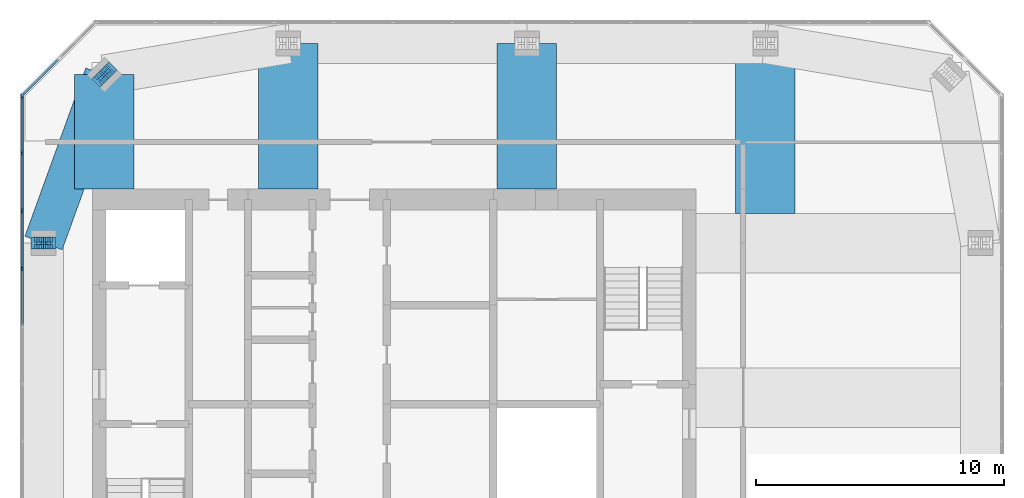
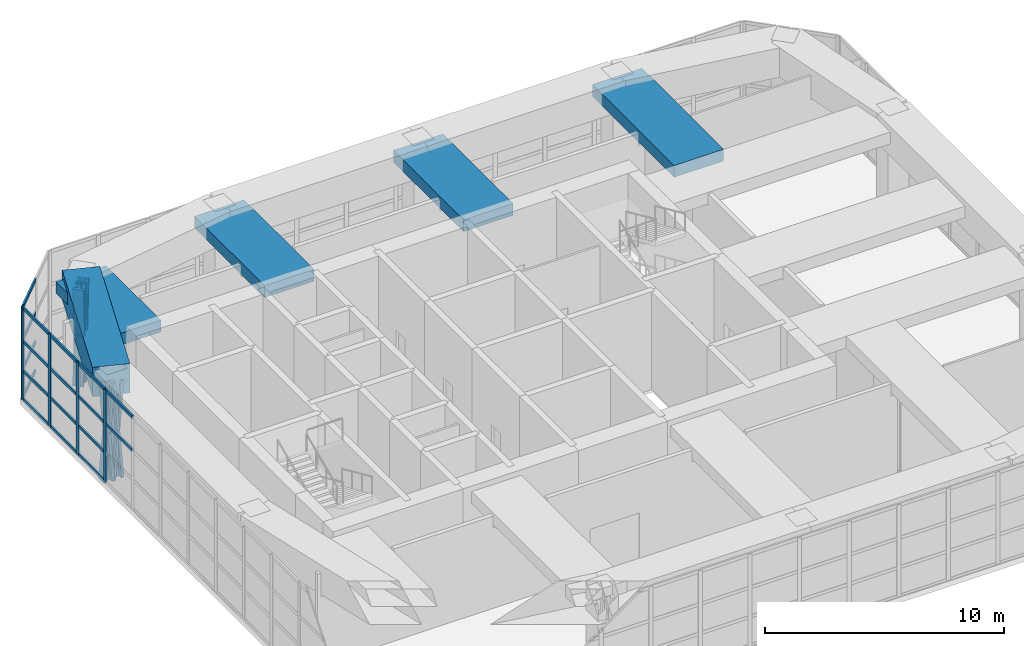
# One storey, part 4 of 14: 31 members, 5 beams, 2 elements without a shape of their own.
"""IFC4 building model written with IfcOpenShell, lengths in metres."""

from ifc_helpers import new_model, si_unit, direction, frame, origin, origin_2d, place, context, subcontext, project, spatial, rectangle, i_section, extrude, material, material_profile, profile_set, type_object, element, aggregate, save


model = new_model("IFC4")

# Units and contexts
model_context = context("Model", 3, precision=1e-05, world=origin(), true_north=direction((0.0, 1.0)))
body_context = subcontext(model_context, "Body", "Model", "MODEL_VIEW")
ifc_project = project(units=[si_unit("LENGTHUNIT", "METRE"), si_unit("AREAUNIT", "SQUARE_METRE"), si_unit("VOLUMEUNIT", "CUBIC_METRE"), si_unit("PLANEANGLEUNIT", "RADIAN"), si_unit("MASSUNIT", "GRAM", prefix="KILO")], contexts=[model_context])

# Site, building, storey
site_placement = place(None, origin())
site = spatial("IfcSite", under=ifc_project, at=site_placement, CompositionType="ELEMENT")
building_placement = place(site_placement, origin())
building = spatial("IfcBuilding", under=site, at=building_placement, Name="Jalousie Tower", CompositionType="ELEMENT")
storey_placement = place(building_placement, frame((0.0, 0.0, 272.75)))
storey = spatial("IfcBuildingStorey", under=building, at=storey_placement, Name="L74", CompositionType="ELEMENT", Elevation=272.75)

# Curtain wall, member
ifc_material_1 = material(Name="Aluminium curtain wall", Category="aluminium")
curtain_wall_type = type_object("IfcCurtainWallType", Name="CROWN LOUVRE WALL", PredefinedType="USERDEFINED", material=ifc_material_1)
curtain_wall_1_placement = place(storey_placement, origin())
curtain_wall_1 = element("IfcCurtainWall", 1, at=curtain_wall_1_placement, inside=storey, type_object=curtain_wall_type, Name="Crown Louvre Wall L74 6", ObjectType="CROWN LOUVRE WALL", PredefinedType="USERDEFINED")
ifc_material_2 = material(Name="Aluminium mullion", Category="aluminium")
ifc_material_profile_1 = material_profile(ifc_material_2, rectangle(XDim=0.080078125, YDim=0.199951171875, at=origin_2d()), Name="MULLION 80x200")
ifc_profile_set_1 = profile_set([ifc_material_profile_1], Name="Aluminium mullion")
member_type_1 = type_object("IfcMemberType", Name="CROWN LOUVRE WALL MULLION", PredefinedType="MULLION", material=ifc_profile_set_1)
member_1_placement = place(storey_placement, frame((16.915771484375, 30.97705078125, 0.0), z_axis=(0.0, 0.0, 1.0), x_axis=(0.707106781187, -0.707106781187, 0.0)))
member_1 = element("IfcMember", 2, at=member_1_placement, type_object=member_type_1, Name="CW-L mullion 3", PredefinedType="MULLION", context=body_context, shape_type="SweptSolid", body=[
    extrude(rectangle(XDim=0.080078125, YDim=0.199951171875, at=origin_2d()), origin(), (0.0, 0.0, 1.0), 4.719970703125),
])

# Curtain wall, members
curtain_wall_2_placement = place(storey_placement, origin())
curtain_wall_2 = element("IfcCurtainWall", 3, at=curtain_wall_2_placement, inside=storey, type_object=curtain_wall_type, Name="Crown Louvre Wall L74 7", ObjectType="CROWN LOUVRE WALL", PredefinedType="USERDEFINED")
member_2_placement = place(storey_placement, frame((16.887451171875, 30.90869140625, 0.0), z_axis=(0.0, 0.0, 1.0), x_axis=(1.0, 0.0, 0.0)))
member_2 = element("IfcMember", 4, at=member_2_placement, type_object=member_type_1, Name="CW-L mullion 1", PredefinedType="MULLION", context=body_context, shape_type="SweptSolid", body=[
    extrude(rectangle(XDim=0.080078125, YDim=0.199951171875, at=origin_2d()), origin(), (0.0, 0.0, 1.0), 4.719970703125),
])
member_3_placement = place(storey_placement, frame((16.887451171875, 28.6240234375, 0.0), z_axis=(0.0, 0.0, 1.0), x_axis=(1.0, 0.0, 0.0)))
member_3 = element("IfcMember", 5, at=member_3_placement, type_object=member_type_1, Name="CW-L mullion 2", PredefinedType="MULLION", context=body_context, shape_type="SweptSolid", body=[
    extrude(rectangle(XDim=0.080078125, YDim=0.199951171875, at=origin_2d()), origin(), (0.0, 0.0, 1.0), 4.719970703125),
])
member_4_placement = place(storey_placement, frame((16.887451171875, 26.299072265625, 0.0), z_axis=(0.0, 0.0, 1.0), x_axis=(1.0, 0.0, 0.0)))
member_4 = element("IfcMember", 6, at=member_4_placement, type_object=member_type_1, Name="CW-L mullion 3", PredefinedType="MULLION", context=body_context, shape_type="SweptSolid", body=[
    extrude(rectangle(XDim=0.080078125, YDim=0.199951171875, at=origin_2d()), origin(), (0.0, 0.0, 1.0), 4.719970703125),
])
member_5_placement = place(storey_placement, frame((16.887451171875, 23.974365234375, 0.0), z_axis=(0.0, 0.0, 1.0), x_axis=(1.0, 0.0, 0.0)))
member_5 = element("IfcMember", 7, at=member_5_placement, type_object=member_type_1, Name="CW-L mullion 4", PredefinedType="MULLION", context=body_context, shape_type="SweptSolid", body=[
    extrude(rectangle(XDim=0.080078125, YDim=0.199951171875, at=origin_2d()), origin(), (0.0, 0.0, 1.0), 4.719970703125),
])

# Member
ifc_material_3 = material(Name="Aluminium transom", Category="aluminium")
ifc_material_profile_2 = material_profile(ifc_material_3, rectangle(XDim=0.080078125, YDim=0.159912109375, at=origin_2d()), Name="TRANSOM 80x160")
ifc_profile_set_2 = profile_set([ifc_material_profile_2], Name="Aluminium transom")
member_type_2 = type_object("IfcMemberType", Name="CROWN LOUVRE WALL TRANSOM", PredefinedType="USERDEFINED", material=ifc_profile_set_2)
member_6_placement = place(storey_placement, frame((18.341064453125, 32.40234375, 0.0400390625), z_axis=(-0.707106781187, -0.707106781187, 0.0), x_axis=(0.707106781187, -0.707106781187, 0.0)))
member_6 = element("IfcMember", 8, at=member_6_placement, type_object=member_type_2, Name="CW-L transom 2.1", ObjectType="TRANSOM", PredefinedType="USERDEFINED", context=body_context, shape_type="SweptSolid", body=[
    extrude(rectangle(XDim=0.080078125, YDim=0.159912109375, at=origin_2d()), origin(), (0.0, 0.0, 1.0), 1.9755859375),
])

member_7_placement = place(storey_placement, frame((18.341064453125, 32.40234375, 1.5), z_axis=(-0.707106781187, -0.707106781187, 0.0), x_axis=(0.707106781187, -0.707106781187, 0.0)))
member_7 = element("IfcMember", 9, at=member_7_placement, type_object=member_type_2, Name="CW-L transom 2.2", ObjectType="TRANSOM", PredefinedType="USERDEFINED", context=body_context, shape_type="SweptSolid", body=[
    extrude(rectangle(XDim=0.080078125, YDim=0.159912109375, at=origin_2d()), origin(), (0.0, 0.0, 1.0), 1.9755859375),
])

member_8_placement = place(storey_placement, frame((18.341064453125, 32.40234375, 3.0), z_axis=(-0.707106781187, -0.707106781187, 0.0), x_axis=(0.707106781187, -0.707106781187, 0.0)))
member_8 = element("IfcMember", 10, at=member_8_placement, type_object=member_type_2, Name="CW-L transom 2.3", ObjectType="TRANSOM", PredefinedType="USERDEFINED", context=body_context, shape_type="SweptSolid", body=[
    extrude(rectangle(XDim=0.080078125, YDim=0.159912109375, at=origin_2d()), origin(), (0.0, 0.0, 1.0), 1.9755859375),
])

member_9_placement = place(storey_placement, frame((18.341064453125, 32.40234375, 4.679931640625), z_axis=(-0.707106781187, -0.707106781187, 0.0), x_axis=(0.707106781187, -0.707106781187, 0.0)))
member_9 = element("IfcMember", 11, at=member_9_placement, type_object=member_type_2, Name="CW-L transom 2.4", ObjectType="TRANSOM", PredefinedType="USERDEFINED", context=body_context, shape_type="SweptSolid", body=[
    extrude(rectangle(XDim=0.080078125, YDim=0.159912109375, at=origin_2d()), origin(), (0.0, 0.0, 1.0), 1.9755859375),
])

aggregate(curtain_wall_1, [member_1, member_6, member_7, member_8, member_9])

member_10_placement = place(storey_placement, frame((16.887451171875, 30.86865234375, 0.0400390625), z_axis=(0.0, -1.0, 0.0), x_axis=(1.0, 0.0, 0.0)))
member_10 = element("IfcMember", 12, at=member_10_placement, type_object=member_type_2, Name="CW-L transom 1.1", ObjectType="TRANSOM", PredefinedType="USERDEFINED", context=body_context, shape_type="SweptSolid", body=[
    extrude(rectangle(XDim=0.080078125, YDim=0.159912109375, at=origin_2d()), origin(), (0.0, 0.0, 1.0), 2.204833984375),
])

member_11_placement = place(storey_placement, frame((16.887451171875, 30.86865234375, 1.5), z_axis=(0.0, -1.0, 0.0), x_axis=(1.0, 0.0, 0.0)))
member_11 = element("IfcMember", 13, at=member_11_placement, type_object=member_type_2, Name="CW-L transom 1.2", ObjectType="TRANSOM", PredefinedType="USERDEFINED", context=body_context, shape_type="SweptSolid", body=[
    extrude(rectangle(XDim=0.080078125, YDim=0.159912109375, at=origin_2d()), origin(), (0.0, 0.0, 1.0), 2.204833984375),
])

member_12_placement = place(storey_placement, frame((16.887451171875, 30.86865234375, 3.0), z_axis=(0.0, -1.0, 0.0), x_axis=(1.0, 0.0, 0.0)))
member_12 = element("IfcMember", 14, at=member_12_placement, type_object=member_type_2, Name="CW-L transom 1.3", ObjectType="TRANSOM", PredefinedType="USERDEFINED", context=body_context, shape_type="SweptSolid", body=[
    extrude(rectangle(XDim=0.080078125, YDim=0.159912109375, at=origin_2d()), origin(), (0.0, 0.0, 1.0), 2.204833984375),
])

member_13_placement = place(storey_placement, frame((16.887451171875, 30.86865234375, 4.679931640625), z_axis=(0.0, -1.0, 0.0), x_axis=(1.0, 0.0, 0.0)))
member_13 = element("IfcMember", 15, at=member_13_placement, type_object=member_type_2, Name="CW-L transom 1.4", ObjectType="TRANSOM", PredefinedType="USERDEFINED", context=body_context, shape_type="SweptSolid", body=[
    extrude(rectangle(XDim=0.080078125, YDim=0.159912109375, at=origin_2d()), origin(), (0.0, 0.0, 1.0), 2.204833984375),
])

member_14_placement = place(storey_placement, frame((16.887451171875, 28.583984375, 0.0400390625), z_axis=(0.0, -1.0, 0.0), x_axis=(1.0, 0.0, 0.0)))
member_14 = element("IfcMember", 16, at=member_14_placement, type_object=member_type_2, Name="CW-L transom 2.1", ObjectType="TRANSOM", PredefinedType="USERDEFINED", context=body_context, shape_type="SweptSolid", body=[
    extrude(rectangle(XDim=0.080078125, YDim=0.159912109375, at=origin_2d()), origin(), (0.0, 0.0, 1.0), 2.244873046875),
])

member_15_placement = place(storey_placement, frame((16.887451171875, 28.583984375, 1.5), z_axis=(0.0, -1.0, 0.0), x_axis=(1.0, 0.0, 0.0)))
member_15 = element("IfcMember", 17, at=member_15_placement, type_object=member_type_2, Name="CW-L transom 2.2", ObjectType="TRANSOM", PredefinedType="USERDEFINED", context=body_context, shape_type="SweptSolid", body=[
    extrude(rectangle(XDim=0.080078125, YDim=0.159912109375, at=origin_2d()), origin(), (0.0, 0.0, 1.0), 2.244873046875),
])

member_16_placement = place(storey_placement, frame((16.887451171875, 28.583984375, 3.0), z_axis=(0.0, -1.0, 0.0), x_axis=(1.0, 0.0, 0.0)))
member_16 = element("IfcMember", 18, at=member_16_placement, type_object=member_type_2, Name="CW-L transom 2.3", ObjectType="TRANSOM", PredefinedType="USERDEFINED", context=body_context, shape_type="SweptSolid", body=[
    extrude(rectangle(XDim=0.080078125, YDim=0.159912109375, at=origin_2d()), origin(), (0.0, 0.0, 1.0), 2.244873046875),
])

member_17_placement = place(storey_placement, frame((16.887451171875, 28.583984375, 4.679931640625), z_axis=(0.0, -1.0, 0.0), x_axis=(1.0, 0.0, 0.0)))
member_17 = element("IfcMember", 19, at=member_17_placement, type_object=member_type_2, Name="CW-L transom 2.4", ObjectType="TRANSOM", PredefinedType="USERDEFINED", context=body_context, shape_type="SweptSolid", body=[
    extrude(rectangle(XDim=0.080078125, YDim=0.159912109375, at=origin_2d()), origin(), (0.0, 0.0, 1.0), 2.244873046875),
])

member_18_placement = place(storey_placement, frame((16.887451171875, 26.259033203125, 0.0400390625), z_axis=(0.0, -1.0, 0.0), x_axis=(1.0, 0.0, 0.0)))
member_18 = element("IfcMember", 20, at=member_18_placement, type_object=member_type_2, Name="CW-L transom 3.1", ObjectType="TRANSOM", PredefinedType="USERDEFINED", context=body_context, shape_type="SweptSolid", body=[
    extrude(rectangle(XDim=0.080078125, YDim=0.159912109375, at=origin_2d()), origin(), (0.0, 0.0, 1.0), 2.24462890625),
])

member_19_placement = place(storey_placement, frame((16.887451171875, 26.259033203125, 1.5), z_axis=(0.0, -1.0, 0.0), x_axis=(1.0, 0.0, 0.0)))
member_19 = element("IfcMember", 21, at=member_19_placement, type_object=member_type_2, Name="CW-L transom 3.2", ObjectType="TRANSOM", PredefinedType="USERDEFINED", context=body_context, shape_type="SweptSolid", body=[
    extrude(rectangle(XDim=0.080078125, YDim=0.159912109375, at=origin_2d()), origin(), (0.0, 0.0, 1.0), 2.24462890625),
])

member_20_placement = place(storey_placement, frame((16.887451171875, 26.259033203125, 3.0), z_axis=(0.0, -1.0, 0.0), x_axis=(1.0, 0.0, 0.0)))
member_20 = element("IfcMember", 22, at=member_20_placement, type_object=member_type_2, Name="CW-L transom 3.3", ObjectType="TRANSOM", PredefinedType="USERDEFINED", context=body_context, shape_type="SweptSolid", body=[
    extrude(rectangle(XDim=0.080078125, YDim=0.159912109375, at=origin_2d()), origin(), (0.0, 0.0, 1.0), 2.24462890625),
])

member_21_placement = place(storey_placement, frame((16.887451171875, 26.259033203125, 4.679931640625), z_axis=(0.0, -1.0, 0.0), x_axis=(1.0, 0.0, 0.0)))
member_21 = element("IfcMember", 23, at=member_21_placement, type_object=member_type_2, Name="CW-L transom 3.4", ObjectType="TRANSOM", PredefinedType="USERDEFINED", context=body_context, shape_type="SweptSolid", body=[
    extrude(rectangle(XDim=0.080078125, YDim=0.159912109375, at=origin_2d()), origin(), (0.0, 0.0, 1.0), 2.24462890625),
])

member_22_placement = place(storey_placement, frame((16.887451171875, 23.934326171875, 3.0), z_axis=(0.0, -1.0, 0.0), x_axis=(1.0, 0.0, 0.0)))
member_22 = element("IfcMember", 24, at=member_22_placement, type_object=member_type_2, Name="CW-L transom 4.3", ObjectType="TRANSOM", PredefinedType="USERDEFINED", context=body_context, shape_type="SweptSolid", body=[
    extrude(rectangle(XDim=0.080078125, YDim=0.159912109375, at=origin_2d()), origin(), (0.0, 0.0, 1.0), 2.244873046875),
])

member_23_placement = place(storey_placement, frame((16.887451171875, 23.934326171875, 4.679931640625), z_axis=(0.0, -1.0, 0.0), x_axis=(1.0, 0.0, 0.0)))
member_23 = element("IfcMember", 25, at=member_23_placement, type_object=member_type_2, Name="CW-L transom 4.4", ObjectType="TRANSOM", PredefinedType="USERDEFINED", context=body_context, shape_type="SweptSolid", body=[
    extrude(rectangle(XDim=0.080078125, YDim=0.159912109375, at=origin_2d()), origin(), (0.0, 0.0, 1.0), 2.244873046875),
])

aggregate(curtain_wall_2, [member_2, member_3, member_4, member_5, member_10, member_11, member_12, member_13, member_14, member_15, member_16, member_17, member_18, member_19, member_20, member_21, member_22, member_23])

# Members
ifc_material_4 = material(Name="Steel ASTM A992 Grade 50", Category="steel")
ifc_material_profile_3 = material_profile(ifc_material_4, i_section(OverallWidth=0.472412109375, OverallDepth=0.5791015625, WebThickness=0.094970703125, FlangeThickness=0.1298828125, at=origin_2d()), Name="W14X808")
ifc_profile_set_3 = profile_set([ifc_material_profile_3], Name="Steel ASTM A992 Grade 50")
member_type_3 = type_object("IfcMemberType", Name="PERIMETER BRACE W14X808", PredefinedType="BRACE", material=ifc_profile_set_3)
for number, where, z_axis, x_axis, name in (
    (26, (20.348388671875, 31.934326171875, -0.75), (-0.056363057148, -0.056363057148, 0.996818143684), (0.707106781187, -0.707106781187, 0.0), "Perimeter brace 12 L74 part 1"),
    (27, (20.20703125, 31.79296875, 1.75), (-0.056363057148, -0.056363057148, 0.996818143684), (0.707106781187, -0.707106781187, 0.0), "Perimeter brace 12 L74 part 2"),
    (28, (20.065673828125, 31.651611328125, -0.75), (0.056363057148, 0.056363057148, 0.996818143684), (-0.707106781187, 0.707106781187, 0.0), "Perimeter brace 12 L74 part 3"),
    (29, (20.20703125, 31.79296875, 1.75), (0.056363057148, 0.056363057148, 0.996818143684), (-0.707106781187, 0.707106781187, 0.0), "Perimeter brace 12 L74 part 4"),
    (30, (17.550048828125, 25.0, -0.75), (0.079725876999, 0.0, 0.99681682597), (0.0, 1.0, 0.0), "Perimeter brace 13 L74 part 1"),
    (31, (17.75, 25.0, 1.75), (0.079725876999, 0.0, 0.99681682597), (0.0, 1.0, 0.0), "Perimeter brace 13 L74 part 2"),
    (32, (17.949951171875, 25.0, -0.75), (-0.079725876999, 0.0, 0.99681682597), (0.0, -1.0, 0.0), "Perimeter brace 13 L74 part 3"),
    (33, (17.75, 25.0, 1.75), (-0.079725876999, 0.0, 0.99681682597), (0.0, -1.0, 0.0), "Perimeter brace 13 L74 part 4"),
):
    element("IfcMember", number, at=place(storey_placement, frame(where, z_axis=z_axis, x_axis=x_axis)), inside=storey, type_object=member_type_3, Name=name, PredefinedType="BRACE", context=body_context, shape_type="SweptSolid", body=[
        extrude(i_section(OverallWidth=0.472412109375, OverallDepth=0.5791015625, WebThickness=0.094970703125, FlangeThickness=0.1298828125, at=origin_2d()), origin(), (0.0, 0.0, 1.0), 2.508056640625),
    ])

# Beams
ifc_material_5 = material(Name="Concrete f'c 40 MPa", Category="concrete")
ifc_material_profile_4 = material_profile(ifc_material_5, rectangle(XDim=1.60009765625, YDim=1.5, at=origin_2d()), Name="RC 1600x1500")
ifc_profile_set_4 = profile_set([ifc_material_profile_4], Name="Concrete f'c 40 MPa")
beam_type_1 = type_object("IfcBeamType", Name="RC BEAM 1600x1500", PredefinedType="BEAM", material=ifc_profile_set_4)
beam_1_placement = place(storey_placement, frame((20.20703125, 31.79296875, 4.25), z_axis=(-0.340136081654, -0.940376225751, 0.0), x_axis=(0.940376225751, -0.340136081654, 0.0)))
element("IfcBeam", 34, at=beam_1_placement, inside=storey, type_object=beam_type_1, Name="Edge band beam 12-13 under RF", PredefinedType="BEAM", context=body_context, shape_type="SweptSolid", body=[
    extrude(rectangle(XDim=1.60009765625, YDim=1.5, at=origin_2d()), origin(), (0.0, 0.0, 1.0), 7.2236328125),
])
ifc_material_6 = material(Name="Concrete f'c 40 MPa", Category="concrete")
ifc_material_profile_5 = material_profile(ifc_material_6, rectangle(XDim=2.39990234375, YDim=0.60009765625, at=origin_2d()), Name="RC 2400x600")
ifc_profile_set_5 = profile_set([ifc_material_profile_5], Name="Concrete f'c 40 MPa")
beam_type_2 = type_object("IfcBeamType", Name="RC BEAM 2400x600", PredefinedType="BEAM", material=ifc_profile_set_5)
beam_2_placement = place(storey_placement, frame((20.20703125, 31.79296875, 4.419921875), z_axis=(0.0, -1.0, 0.0), x_axis=(1.0, 0.0, 0.0)))
element("IfcBeam", 35, at=beam_2_placement, inside=storey, type_object=beam_type_2, Name="Floor band beam under RF", PredefinedType="BEAM", context=body_context, shape_type="SweptSolid", body=[
    extrude(rectangle(XDim=2.39990234375, YDim=0.60009765625, at=origin_2d()), origin(), (0.0, 0.0, 1.0), 4.617919921875),
])
for number, where, z_axis, x_axis, name in (
    (36, (27.625, 33.050048828125, 4.419921875), (0.0, -1.0, 0.0), (1.0, 0.0, 0.0), "Floor band beam under RF"),
    (37, (37.25, 33.050048828125, 4.419921875), (0.0, -1.0, 0.0), (1.0, 0.0, 0.0), "Floor band beam under RF"),
):
    element("IfcBeam", number, at=place(storey_placement, frame(where, z_axis=z_axis, x_axis=x_axis)), inside=storey, type_object=beam_type_2, Name=name, PredefinedType="BEAM", context=body_context, shape_type="SweptSolid", body=[
        extrude(rectangle(XDim=2.39990234375, YDim=0.60009765625, at=origin_2d()), origin(), (0.0, 0.0, 1.0), 5.875),
    ])
beam_3_placement = place(storey_placement, frame((46.875, 33.050048828125, 4.419921875), z_axis=(0.0, -1.0, 0.0), x_axis=(1.0, 0.0, 0.0)))
element("IfcBeam", 38, at=beam_3_placement, inside=storey, type_object=beam_type_2, Name="Floor band beam under RF", PredefinedType="BEAM", context=body_context, shape_type="SweptSolid", body=[
    extrude(rectangle(XDim=2.39990234375, YDim=0.60009765625, at=origin_2d()), origin(), (0.0, 0.0, 1.0), 6.85009765625),
])

save(model, "model.ifc")
